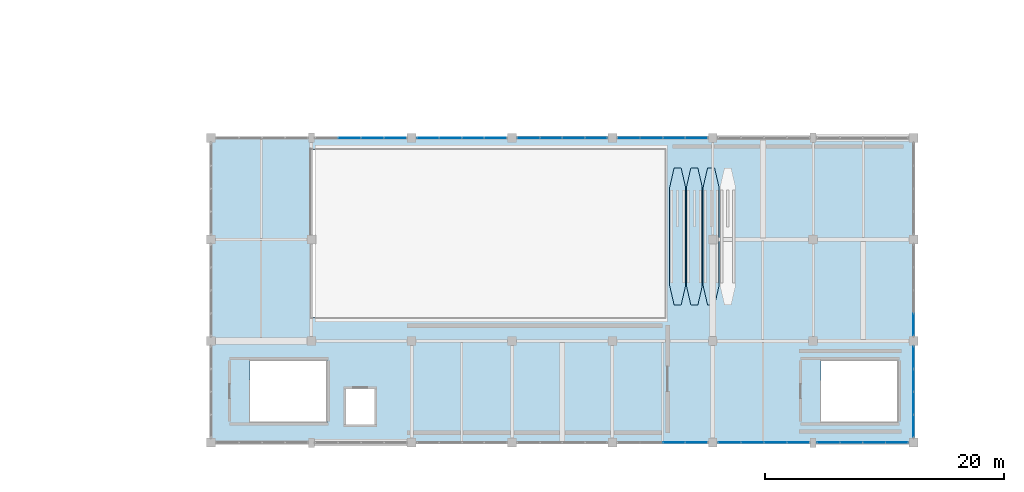
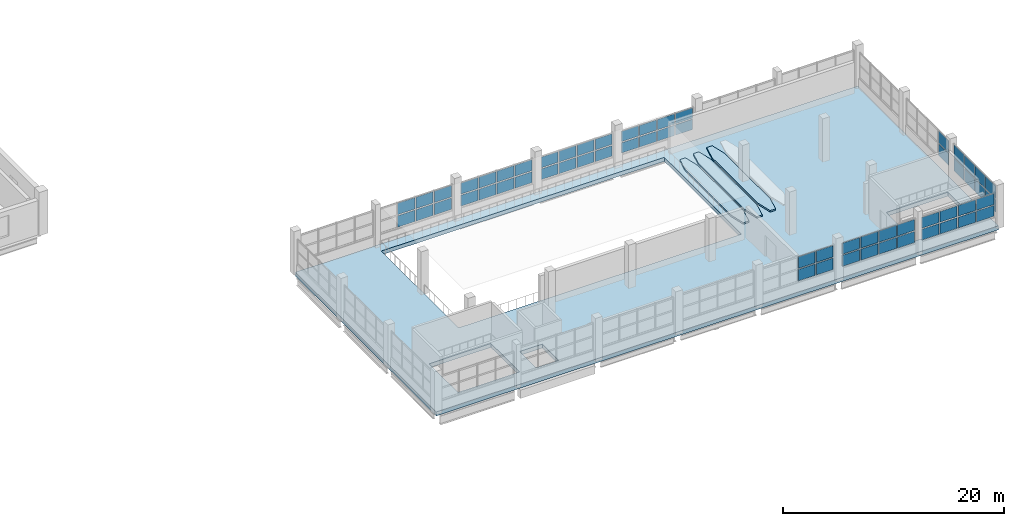
# One storey, part 55 of 77: 60 plates, 4 slabs, 9 elements without a shape of their own.
"""IFC4 building model written with IfcOpenShell, lengths in metres."""

from ifc_helpers import new_model, si_unit, direction, frame, origin, origin_2d, place, context, subcontext, project, spatial, polyline, rectangle, outline, extrude, material, layer, layer_set, type_object, element, aggregate, save


model = new_model("IFC4")

# Units and contexts
model_context = context("Model", 3, precision=1e-05, world=origin(), true_north=direction((0.0, 1.0)))
body_context = subcontext(model_context, "Body", "Model", "MODEL_VIEW")
ifc_project = project(units=[si_unit("LENGTHUNIT", "METRE"), si_unit("AREAUNIT", "SQUARE_METRE"), si_unit("VOLUMEUNIT", "CUBIC_METRE"), si_unit("PLANEANGLEUNIT", "RADIAN"), si_unit("MASSUNIT", "GRAM", prefix="KILO")], contexts=[model_context])

# Site, building, storey
site_placement = place(None, origin())
site = spatial("IfcSite", under=ifc_project, at=site_placement, CompositionType="ELEMENT")
building_placement = place(site_placement, origin())
building = spatial("IfcBuilding", under=site, at=building_placement, Name="Solvento Point Concert Hall", CompositionType="ELEMENT")
storey_placement = place(building_placement, frame((0.0, 0.0, 10.199951171875)))
storey = spatial("IfcBuildingStorey", under=building, at=storey_placement, Name="L02", CompositionType="ELEMENT", Elevation=10.199951171875)

# Curtain wall, plates
ifc_material_1 = material(Name="Anodized Bronze Aluminium", Category="aluminium")
curtain_wall_type = type_object("IfcCurtainWallType", Name="CurtainWall_ChamberCircle", PredefinedType="USERDEFINED", material=ifc_material_1)
curtain_wall_1_placement = place(storey_placement, origin())
curtain_wall_1 = element("IfcCurtainWall", 1, at=curtain_wall_1_placement, inside=storey, type_object=curtain_wall_type, Name="Unitised curtain wall CW-32 UCW-L02-146", ObjectType="UNITISED CURTAIN WALL", PredefinedType="USERDEFINED")
ifc_material_2 = material(Name="Hurricane Laminated Low-E Glass", Category="glass")
plate_type = type_object("IfcPlateType", Name="CurtainPanel_ChamberCircle", PredefinedType="CURTAIN_PANEL", material=ifc_material_2)
plate_1_placement = place(storey_placement, frame((161.578125, 25.5, 1.239990234375), z_axis=(0.0, 0.0, 1.0), x_axis=(1.0, 0.0, 0.0)))
plate_1 = element("IfcPlate", 2, at=plate_1_placement, type_object=plate_type, Name="Glazed curtain panel GL-05", PredefinedType="CURTAIN_PANEL", context=body_context, shape_type="SweptSolid", body=[
    extrude(rectangle(XDim=1.798828125, YDim=0.048095703125, at=origin_2d()), origin(), (0.0, 0.0, 1.0), 1.26708984375),
])
plate_2_placement = place(storey_placement, frame((161.578125, 25.5, 2.626953125), z_axis=(0.0, 0.0, 1.0), x_axis=(1.0, 0.0, 0.0)))
plate_2 = element("IfcPlate", 3, at=plate_2_placement, type_object=plate_type, Name="Glazed curtain panel GL-05", PredefinedType="CURTAIN_PANEL", context=body_context, shape_type="SweptSolid", body=[
    extrude(rectangle(XDim=1.798828125, YDim=0.048095703125, at=origin_2d()), origin(), (0.0, 0.0, 1.0), 1.26708984375),
])
plate_3_placement = place(storey_placement, frame((163.496826171875, 25.5, 1.239990234375), z_axis=(0.0, 0.0, 1.0), x_axis=(1.0, 0.0, 0.0)))
plate_3 = element("IfcPlate", 4, at=plate_3_placement, type_object=plate_type, Name="Glazed curtain panel GL-05", PredefinedType="CURTAIN_PANEL", context=body_context, shape_type="SweptSolid", body=[
    extrude(rectangle(XDim=1.798828125, YDim=0.048095703125, at=origin_2d()), origin(), (0.0, 0.0, 1.0), 1.26708984375),
])
plate_4_placement = place(storey_placement, frame((163.496826171875, 25.5, 2.626953125), z_axis=(0.0, 0.0, 1.0), x_axis=(1.0, 0.0, 0.0)))
plate_4 = element("IfcPlate", 5, at=plate_4_placement, type_object=plate_type, Name="Glazed curtain panel GL-05", PredefinedType="CURTAIN_PANEL", context=body_context, shape_type="SweptSolid", body=[
    extrude(rectangle(XDim=1.798828125, YDim=0.048095703125, at=origin_2d()), origin(), (0.0, 0.0, 1.0), 1.26708984375),
])
plate_5_placement = place(storey_placement, frame((165.41552734375, 25.5, 1.239990234375), z_axis=(0.0, 0.0, 1.0), x_axis=(1.0, 0.0, 0.0)))
plate_5 = element("IfcPlate", 6, at=plate_5_placement, type_object=plate_type, Name="Glazed curtain panel GL-05", PredefinedType="CURTAIN_PANEL", context=body_context, shape_type="SweptSolid", body=[
    extrude(rectangle(XDim=1.798828125, YDim=0.048095703125, at=origin_2d()), origin(), (0.0, 0.0, 1.0), 1.26708984375),
])
plate_6_placement = place(storey_placement, frame((165.41552734375, 25.5, 2.626953125), z_axis=(0.0, 0.0, 1.0), x_axis=(1.0, 0.0, 0.0)))
plate_6 = element("IfcPlate", 7, at=plate_6_placement, type_object=plate_type, Name="Glazed curtain panel GL-05", PredefinedType="CURTAIN_PANEL", context=body_context, shape_type="SweptSolid", body=[
    extrude(rectangle(XDim=1.798828125, YDim=0.048095703125, at=origin_2d()), origin(), (0.0, 0.0, 1.0), 1.26708984375),
])
aggregate(curtain_wall_1, [plate_1, plate_2, plate_3, plate_4, plate_5, plate_6])

curtain_wall_2_placement = place(storey_placement, origin())
curtain_wall_2 = element("IfcCurtainWall", 8, at=curtain_wall_2_placement, inside=storey, type_object=curtain_wall_type, Name="Unitised curtain wall CW-32 UCW-L02-147", ObjectType="UNITISED CURTAIN WALL", PredefinedType="USERDEFINED")
plate_7_placement = place(storey_placement, frame((168.168701171875, 25.5, 1.240234375), z_axis=(0.0, 0.0, 1.0), x_axis=(1.0, 0.0, 0.0)))
plate_7 = element("IfcPlate", 9, at=plate_7_placement, type_object=plate_type, Name="Glazed curtain panel GL-05", PredefinedType="CURTAIN_PANEL", context=body_context, shape_type="SweptSolid", body=[
    extrude(rectangle(XDim=1.767578125, YDim=0.048095703125, at=origin_2d()), origin(), (0.0, 0.0, 1.0), 1.222412109375),
])
plate_8_placement = place(storey_placement, frame((168.168701171875, 25.5, 2.58251953125), z_axis=(0.0, 0.0, 1.0), x_axis=(1.0, 0.0, 0.0)))
plate_8 = element("IfcPlate", 10, at=plate_8_placement, type_object=plate_type, Name="Glazed curtain panel GL-05", PredefinedType="CURTAIN_PANEL", context=body_context, shape_type="SweptSolid", body=[
    extrude(rectangle(XDim=1.767578125, YDim=0.048095703125, at=origin_2d()), origin(), (0.0, 0.0, 1.0), 1.222412109375),
])
plate_9_placement = place(storey_placement, frame((170.056396484375, 25.5, 1.240234375), z_axis=(0.0, 0.0, 1.0), x_axis=(1.0, 0.0, 0.0)))
plate_9 = element("IfcPlate", 11, at=plate_9_placement, type_object=plate_type, Name="Glazed curtain panel GL-05", PredefinedType="CURTAIN_PANEL", context=body_context, shape_type="SweptSolid", body=[
    extrude(rectangle(XDim=1.767578125, YDim=0.048095703125, at=origin_2d()), origin(), (0.0, 0.0, 1.0), 1.222412109375),
])
plate_10_placement = place(storey_placement, frame((170.056396484375, 25.5, 2.58251953125), z_axis=(0.0, 0.0, 1.0), x_axis=(1.0, 0.0, 0.0)))
plate_10 = element("IfcPlate", 12, at=plate_10_placement, type_object=plate_type, Name="Glazed curtain panel GL-05", PredefinedType="CURTAIN_PANEL", context=body_context, shape_type="SweptSolid", body=[
    extrude(rectangle(XDim=1.767578125, YDim=0.048095703125, at=origin_2d()), origin(), (0.0, 0.0, 1.0), 1.222412109375),
])
plate_11_placement = place(storey_placement, frame((171.943603515625, 25.5, 1.240234375), z_axis=(0.0, 0.0, 1.0), x_axis=(1.0, 0.0, 0.0)))
plate_11 = element("IfcPlate", 13, at=plate_11_placement, type_object=plate_type, Name="Glazed curtain panel GL-05", PredefinedType="CURTAIN_PANEL", context=body_context, shape_type="SweptSolid", body=[
    extrude(rectangle(XDim=1.767578125, YDim=0.048095703125, at=origin_2d()), origin(), (0.0, 0.0, 1.0), 1.222412109375),
])
plate_12_placement = place(storey_placement, frame((171.943603515625, 25.5, 2.58251953125), z_axis=(0.0, 0.0, 1.0), x_axis=(1.0, 0.0, 0.0)))
plate_12 = element("IfcPlate", 14, at=plate_12_placement, type_object=plate_type, Name="Glazed curtain panel GL-05", PredefinedType="CURTAIN_PANEL", context=body_context, shape_type="SweptSolid", body=[
    extrude(rectangle(XDim=1.767578125, YDim=0.048095703125, at=origin_2d()), origin(), (0.0, 0.0, 1.0), 1.222412109375),
])
plate_13_placement = place(storey_placement, frame((173.831298828125, 25.5, 1.240234375), z_axis=(0.0, 0.0, 1.0), x_axis=(1.0, 0.0, 0.0)))
plate_13 = element("IfcPlate", 15, at=plate_13_placement, type_object=plate_type, Name="Glazed curtain panel GL-05", PredefinedType="CURTAIN_PANEL", context=body_context, shape_type="SweptSolid", body=[
    extrude(rectangle(XDim=1.767578125, YDim=0.048095703125, at=origin_2d()), origin(), (0.0, 0.0, 1.0), 1.222412109375),
])
plate_14_placement = place(storey_placement, frame((173.831298828125, 25.5, 2.58251953125), z_axis=(0.0, 0.0, 1.0), x_axis=(1.0, 0.0, 0.0)))
plate_14 = element("IfcPlate", 16, at=plate_14_placement, type_object=plate_type, Name="Glazed curtain panel GL-05", PredefinedType="CURTAIN_PANEL", context=body_context, shape_type="SweptSolid", body=[
    extrude(rectangle(XDim=1.767578125, YDim=0.048095703125, at=origin_2d()), origin(), (0.0, 0.0, 1.0), 1.222412109375),
])
aggregate(curtain_wall_2, [plate_7, plate_8, plate_9, plate_10, plate_11, plate_12, plate_13, plate_14])

curtain_wall_3_placement = place(storey_placement, origin())
curtain_wall_3 = element("IfcCurtainWall", 17, at=curtain_wall_3_placement, inside=storey, type_object=curtain_wall_type, Name="Unitised curtain wall CW-32 UCW-L02-148", ObjectType="UNITISED CURTAIN WALL", PredefinedType="USERDEFINED")
plate_15_placement = place(storey_placement, frame((176.568603515625, 25.5, 1.239990234375), z_axis=(0.0, 0.0, 1.0), x_axis=(1.0, 0.0, 0.0)))
plate_15 = element("IfcPlate", 18, at=plate_15_placement, type_object=plate_type, Name="Glazed curtain panel GL-05", PredefinedType="CURTAIN_PANEL", context=body_context, shape_type="SweptSolid", body=[
    extrude(rectangle(XDim=1.767578125, YDim=0.048095703125, at=origin_2d()), origin(), (0.0, 0.0, 1.0), 1.1884765625),
])
plate_16_placement = place(storey_placement, frame((176.568603515625, 25.5, 2.548583984375), z_axis=(0.0, 0.0, 1.0), x_axis=(1.0, 0.0, 0.0)))
plate_16 = element("IfcPlate", 19, at=plate_16_placement, type_object=plate_type, Name="Glazed curtain panel GL-05", PredefinedType="CURTAIN_PANEL", context=body_context, shape_type="SweptSolid", body=[
    extrude(rectangle(XDim=1.767578125, YDim=0.048095703125, at=origin_2d()), origin(), (0.0, 0.0, 1.0), 1.1884765625),
])
plate_17_placement = place(storey_placement, frame((178.456298828125, 25.5, 1.239990234375), z_axis=(0.0, 0.0, 1.0), x_axis=(1.0, 0.0, 0.0)))
plate_17 = element("IfcPlate", 20, at=plate_17_placement, type_object=plate_type, Name="Glazed curtain panel GL-05", PredefinedType="CURTAIN_PANEL", context=body_context, shape_type="SweptSolid", body=[
    extrude(rectangle(XDim=1.767578125, YDim=0.048095703125, at=origin_2d()), origin(), (0.0, 0.0, 1.0), 1.1884765625),
])
plate_18_placement = place(storey_placement, frame((178.456298828125, 25.5, 2.548583984375), z_axis=(0.0, 0.0, 1.0), x_axis=(1.0, 0.0, 0.0)))
plate_18 = element("IfcPlate", 21, at=plate_18_placement, type_object=plate_type, Name="Glazed curtain panel GL-05", PredefinedType="CURTAIN_PANEL", context=body_context, shape_type="SweptSolid", body=[
    extrude(rectangle(XDim=1.767578125, YDim=0.048095703125, at=origin_2d()), origin(), (0.0, 0.0, 1.0), 1.1884765625),
])
plate_19_placement = place(storey_placement, frame((180.34375, 25.5, 1.239990234375), z_axis=(0.0, 0.0, 1.0), x_axis=(1.0, 0.0, 0.0)))
plate_19 = element("IfcPlate", 22, at=plate_19_placement, type_object=plate_type, Name="Glazed curtain panel GL-05", PredefinedType="CURTAIN_PANEL", context=body_context, shape_type="SweptSolid", body=[
    extrude(rectangle(XDim=1.767578125, YDim=0.048095703125, at=origin_2d()), origin(), (0.0, 0.0, 1.0), 1.1884765625),
])
plate_20_placement = place(storey_placement, frame((180.34375, 25.5, 2.548583984375), z_axis=(0.0, 0.0, 1.0), x_axis=(1.0, 0.0, 0.0)))
plate_20 = element("IfcPlate", 23, at=plate_20_placement, type_object=plate_type, Name="Glazed curtain panel GL-05", PredefinedType="CURTAIN_PANEL", context=body_context, shape_type="SweptSolid", body=[
    extrude(rectangle(XDim=1.767578125, YDim=0.048095703125, at=origin_2d()), origin(), (0.0, 0.0, 1.0), 1.1884765625),
])
plate_21_placement = place(storey_placement, frame((182.231201171875, 25.5, 1.239990234375), z_axis=(0.0, 0.0, 1.0), x_axis=(1.0, 0.0, 0.0)))
plate_21 = element("IfcPlate", 24, at=plate_21_placement, type_object=plate_type, Name="Glazed curtain panel GL-05", PredefinedType="CURTAIN_PANEL", context=body_context, shape_type="SweptSolid", body=[
    extrude(rectangle(XDim=1.767578125, YDim=0.048095703125, at=origin_2d()), origin(), (0.0, 0.0, 1.0), 1.1884765625),
])
plate_22_placement = place(storey_placement, frame((182.231201171875, 25.5, 2.548583984375), z_axis=(0.0, 0.0, 1.0), x_axis=(1.0, 0.0, 0.0)))
plate_22 = element("IfcPlate", 25, at=plate_22_placement, type_object=plate_type, Name="Glazed curtain panel GL-05", PredefinedType="CURTAIN_PANEL", context=body_context, shape_type="SweptSolid", body=[
    extrude(rectangle(XDim=1.767578125, YDim=0.048095703125, at=origin_2d()), origin(), (0.0, 0.0, 1.0), 1.1884765625),
])
aggregate(curtain_wall_3, [plate_15, plate_16, plate_17, plate_18, plate_19, plate_20, plate_21, plate_22])

curtain_wall_4_placement = place(storey_placement, origin())
curtain_wall_4 = element("IfcCurtainWall", 26, at=curtain_wall_4_placement, inside=storey, type_object=curtain_wall_type, Name="Unitised curtain wall CW-32 UCW-L02-149", ObjectType="UNITISED CURTAIN WALL", PredefinedType="USERDEFINED")
plate_23_placement = place(storey_placement, frame((184.96875, 25.5, 1.240234375), z_axis=(0.0, 0.0, 1.0), x_axis=(1.0, 0.0, 0.0)))
plate_23 = element("IfcPlate", 27, at=plate_23_placement, type_object=plate_type, Name="Glazed curtain panel GL-05", PredefinedType="CURTAIN_PANEL", context=body_context, shape_type="SweptSolid", body=[
    extrude(rectangle(XDim=1.767578125, YDim=0.048095703125, at=origin_2d()), origin(), (0.0, 0.0, 1.0), 1.138916015625),
])
plate_24_placement = place(storey_placement, frame((184.96875, 25.5, 2.4990234375), z_axis=(0.0, 0.0, 1.0), x_axis=(1.0, 0.0, 0.0)))
plate_24 = element("IfcPlate", 28, at=plate_24_placement, type_object=plate_type, Name="Glazed curtain panel GL-05", PredefinedType="CURTAIN_PANEL", context=body_context, shape_type="SweptSolid", body=[
    extrude(rectangle(XDim=1.767578125, YDim=0.048095703125, at=origin_2d()), origin(), (0.0, 0.0, 1.0), 1.138916015625),
])
plate_25_placement = place(storey_placement, frame((186.856201171875, 25.5, 1.240234375), z_axis=(0.0, 0.0, 1.0), x_axis=(1.0, 0.0, 0.0)))
plate_25 = element("IfcPlate", 29, at=plate_25_placement, type_object=plate_type, Name="Glazed curtain panel GL-05", PredefinedType="CURTAIN_PANEL", context=body_context, shape_type="SweptSolid", body=[
    extrude(rectangle(XDim=1.767578125, YDim=0.048095703125, at=origin_2d()), origin(), (0.0, 0.0, 1.0), 1.138916015625),
])
plate_26_placement = place(storey_placement, frame((186.856201171875, 25.5, 2.4990234375), z_axis=(0.0, 0.0, 1.0), x_axis=(1.0, 0.0, 0.0)))
plate_26 = element("IfcPlate", 30, at=plate_26_placement, type_object=plate_type, Name="Glazed curtain panel GL-05", PredefinedType="CURTAIN_PANEL", context=body_context, shape_type="SweptSolid", body=[
    extrude(rectangle(XDim=1.767578125, YDim=0.048095703125, at=origin_2d()), origin(), (0.0, 0.0, 1.0), 1.138916015625),
])
plate_27_placement = place(storey_placement, frame((188.743896484375, 25.5, 1.240234375), z_axis=(0.0, 0.0, 1.0), x_axis=(1.0, 0.0, 0.0)))
plate_27 = element("IfcPlate", 31, at=plate_27_placement, type_object=plate_type, Name="Glazed curtain panel GL-05", PredefinedType="CURTAIN_PANEL", context=body_context, shape_type="SweptSolid", body=[
    extrude(rectangle(XDim=1.767578125, YDim=0.048095703125, at=origin_2d()), origin(), (0.0, 0.0, 1.0), 1.138916015625),
])
plate_28_placement = place(storey_placement, frame((188.743896484375, 25.5, 2.4990234375), z_axis=(0.0, 0.0, 1.0), x_axis=(1.0, 0.0, 0.0)))
plate_28 = element("IfcPlate", 32, at=plate_28_placement, type_object=plate_type, Name="Glazed curtain panel GL-05", PredefinedType="CURTAIN_PANEL", context=body_context, shape_type="SweptSolid", body=[
    extrude(rectangle(XDim=1.767578125, YDim=0.048095703125, at=origin_2d()), origin(), (0.0, 0.0, 1.0), 1.138916015625),
])
plate_29_placement = place(storey_placement, frame((190.631103515625, 25.5, 1.240234375), z_axis=(0.0, 0.0, 1.0), x_axis=(1.0, 0.0, 0.0)))
plate_29 = element("IfcPlate", 33, at=plate_29_placement, type_object=plate_type, Name="Glazed curtain panel GL-05", PredefinedType="CURTAIN_PANEL", context=body_context, shape_type="SweptSolid", body=[
    extrude(rectangle(XDim=1.767578125, YDim=0.048095703125, at=origin_2d()), origin(), (0.0, 0.0, 1.0), 1.138916015625),
])
plate_30_placement = place(storey_placement, frame((190.631103515625, 25.5, 2.4990234375), z_axis=(0.0, 0.0, 1.0), x_axis=(1.0, 0.0, 0.0)))
plate_30 = element("IfcPlate", 34, at=plate_30_placement, type_object=plate_type, Name="Glazed curtain panel GL-05", PredefinedType="CURTAIN_PANEL", context=body_context, shape_type="SweptSolid", body=[
    extrude(rectangle(XDim=1.767578125, YDim=0.048095703125, at=origin_2d()), origin(), (0.0, 0.0, 1.0), 1.138916015625),
])
aggregate(curtain_wall_4, [plate_23, plate_24, plate_25, plate_26, plate_27, plate_28, plate_29, plate_30])

curtain_wall_5_placement = place(storey_placement, origin())
curtain_wall_5 = element("IfcCurtainWall", 35, at=curtain_wall_5_placement, inside=storey, type_object=curtain_wall_type, Name="Unitised curtain wall CW-32 UCW-L02-152", ObjectType="UNITISED CURTAIN WALL", PredefinedType="USERDEFINED")
plate_31_placement = place(storey_placement, frame((208.800048828125, 1.38134765625, 1.240234375), z_axis=(0.0, 0.0, 1.0), x_axis=(0.0, 1.0, 0.0)))
plate_31 = element("IfcPlate", 36, at=plate_31_placement, type_object=plate_type, Name="Glazed curtain panel GL-05", PredefinedType="CURTAIN_PANEL", context=body_context, shape_type="SweptSolid", body=[
    extrude(rectangle(XDim=1.79248046875, YDim=0.048095703125, at=origin_2d()), origin(), (0.0, 0.0, 1.0), 1.37744140625),
])
plate_32_placement = place(storey_placement, frame((208.800048828125, 1.38134765625, 2.737548828125), z_axis=(0.0, 0.0, 1.0), x_axis=(0.0, 1.0, 0.0)))
plate_32 = element("IfcPlate", 37, at=plate_32_placement, type_object=plate_type, Name="Glazed curtain panel GL-05", PredefinedType="CURTAIN_PANEL", context=body_context, shape_type="SweptSolid", body=[
    extrude(rectangle(XDim=1.79248046875, YDim=0.048095703125, at=origin_2d()), origin(), (0.0, 0.0, 1.0), 1.37744140625),
])
plate_33_placement = place(storey_placement, frame((208.800048828125, 3.293701171875, 1.240234375), z_axis=(0.0, 0.0, 1.0), x_axis=(0.0, 1.0, 0.0)))
plate_33 = element("IfcPlate", 38, at=plate_33_placement, type_object=plate_type, Name="Glazed curtain panel GL-05", PredefinedType="CURTAIN_PANEL", context=body_context, shape_type="SweptSolid", body=[
    extrude(rectangle(XDim=1.79248046875, YDim=0.048095703125, at=origin_2d()), origin(), (0.0, 0.0, 1.0), 1.37744140625),
])
plate_34_placement = place(storey_placement, frame((208.800048828125, 3.293701171875, 2.737548828125), z_axis=(0.0, 0.0, 1.0), x_axis=(0.0, 1.0, 0.0)))
plate_34 = element("IfcPlate", 39, at=plate_34_placement, type_object=plate_type, Name="Glazed curtain panel GL-05", PredefinedType="CURTAIN_PANEL", context=body_context, shape_type="SweptSolid", body=[
    extrude(rectangle(XDim=1.79248046875, YDim=0.048095703125, at=origin_2d()), origin(), (0.0, 0.0, 1.0), 1.37744140625),
])
plate_35_placement = place(storey_placement, frame((208.800048828125, 5.206298828125, 1.240234375), z_axis=(0.0, 0.0, 1.0), x_axis=(0.0, 1.0, 0.0)))
plate_35 = element("IfcPlate", 40, at=plate_35_placement, type_object=plate_type, Name="Glazed curtain panel GL-05", PredefinedType="CURTAIN_PANEL", context=body_context, shape_type="SweptSolid", body=[
    extrude(rectangle(XDim=1.79248046875, YDim=0.048095703125, at=origin_2d()), origin(), (0.0, 0.0, 1.0), 1.37744140625),
])
plate_36_placement = place(storey_placement, frame((208.800048828125, 5.206298828125, 2.737548828125), z_axis=(0.0, 0.0, 1.0), x_axis=(0.0, 1.0, 0.0)))
plate_36 = element("IfcPlate", 41, at=plate_36_placement, type_object=plate_type, Name="Glazed curtain panel GL-05", PredefinedType="CURTAIN_PANEL", context=body_context, shape_type="SweptSolid", body=[
    extrude(rectangle(XDim=1.79248046875, YDim=0.048095703125, at=origin_2d()), origin(), (0.0, 0.0, 1.0), 1.37744140625),
])
plate_37_placement = place(storey_placement, frame((208.800048828125, 7.118896484375, 1.240234375), z_axis=(0.0, 0.0, 1.0), x_axis=(0.0, 1.0, 0.0)))
plate_37 = element("IfcPlate", 42, at=plate_37_placement, type_object=plate_type, Name="Glazed curtain panel GL-05", PredefinedType="CURTAIN_PANEL", context=body_context, shape_type="SweptSolid", body=[
    extrude(rectangle(XDim=1.79248046875, YDim=0.048095703125, at=origin_2d()), origin(), (0.0, 0.0, 1.0), 1.37744140625),
])
plate_38_placement = place(storey_placement, frame((208.800048828125, 7.118896484375, 2.737548828125), z_axis=(0.0, 0.0, 1.0), x_axis=(0.0, 1.0, 0.0)))
plate_38 = element("IfcPlate", 43, at=plate_38_placement, type_object=plate_type, Name="Glazed curtain panel GL-05", PredefinedType="CURTAIN_PANEL", context=body_context, shape_type="SweptSolid", body=[
    extrude(rectangle(XDim=1.79248046875, YDim=0.048095703125, at=origin_2d()), origin(), (0.0, 0.0, 1.0), 1.37744140625),
])
aggregate(curtain_wall_5, [plate_31, plate_32, plate_33, plate_34, plate_35, plate_36, plate_37, plate_38])

curtain_wall_6_placement = place(storey_placement, origin())
curtain_wall_6 = element("IfcCurtainWall", 44, at=curtain_wall_6_placement, inside=storey, type_object=curtain_wall_type, Name="Unitised curtain wall CW-32 UCW-L02-153", ObjectType="UNITISED CURTAIN WALL", PredefinedType="USERDEFINED")
plate_39_placement = place(storey_placement, frame((208.800048828125, 9.881103515625, 1.240234375), z_axis=(0.0, 0.0, 1.0), x_axis=(0.0, 1.0, 0.0)))
plate_39 = element("IfcPlate", 45, at=plate_39_placement, type_object=plate_type, Name="Glazed curtain panel GL-05", PredefinedType="CURTAIN_PANEL", context=body_context, shape_type="SweptSolid", body=[
    extrude(rectangle(XDim=1.79248046875, YDim=0.048095703125, at=origin_2d()), origin(), (0.0, 0.0, 1.0), 1.305419921875),
])
plate_40_placement = place(storey_placement, frame((208.800048828125, 9.881103515625, 2.66552734375), z_axis=(0.0, 0.0, 1.0), x_axis=(0.0, 1.0, 0.0)))
plate_40 = element("IfcPlate", 46, at=plate_40_placement, type_object=plate_type, Name="Glazed curtain panel GL-05", PredefinedType="CURTAIN_PANEL", context=body_context, shape_type="SweptSolid", body=[
    extrude(rectangle(XDim=1.79248046875, YDim=0.048095703125, at=origin_2d()), origin(), (0.0, 0.0, 1.0), 1.305419921875),
])
aggregate(curtain_wall_6, [plate_39, plate_40])

curtain_wall_7_placement = place(storey_placement, origin())
curtain_wall_7 = element("IfcCurtainWall", 47, at=curtain_wall_7_placement, inside=storey, type_object=curtain_wall_type, Name="Unitised curtain wall CW-32 UCW-L02-159", ObjectType="UNITISED CURTAIN WALL", PredefinedType="USERDEFINED")
plate_41_placement = place(storey_placement, frame((188.743896484375, 0.0, 1.239990234375), z_axis=(0.0, 0.0, 1.0), x_axis=(1.0, 0.0, 0.0)))
plate_41 = element("IfcPlate", 48, at=plate_41_placement, type_object=plate_type, Name="Glazed curtain panel GL-05", PredefinedType="CURTAIN_PANEL", context=body_context, shape_type="SweptSolid", body=[
    extrude(rectangle(XDim=1.767578125, YDim=0.048095703125, at=origin_2d()), origin(), (0.0, 0.0, 1.0), 1.26708984375),
])
plate_42_placement = place(storey_placement, frame((188.743896484375, 0.0, 2.626953125), z_axis=(0.0, 0.0, 1.0), x_axis=(1.0, 0.0, 0.0)))
plate_42 = element("IfcPlate", 49, at=plate_42_placement, type_object=plate_type, Name="Glazed curtain panel GL-05", PredefinedType="CURTAIN_PANEL", context=body_context, shape_type="SweptSolid", body=[
    extrude(rectangle(XDim=1.767578125, YDim=0.048095703125, at=origin_2d()), origin(), (0.0, 0.0, 1.0), 1.26708984375),
])
plate_43_placement = place(storey_placement, frame((190.631103515625, 0.0, 1.239990234375), z_axis=(0.0, 0.0, 1.0), x_axis=(1.0, 0.0, 0.0)))
plate_43 = element("IfcPlate", 50, at=plate_43_placement, type_object=plate_type, Name="Glazed curtain panel GL-05", PredefinedType="CURTAIN_PANEL", context=body_context, shape_type="SweptSolid", body=[
    extrude(rectangle(XDim=1.767578125, YDim=0.048095703125, at=origin_2d()), origin(), (0.0, 0.0, 1.0), 1.26708984375),
])
plate_44_placement = place(storey_placement, frame((190.631103515625, 0.0, 2.626953125), z_axis=(0.0, 0.0, 1.0), x_axis=(1.0, 0.0, 0.0)))
plate_44 = element("IfcPlate", 51, at=plate_44_placement, type_object=plate_type, Name="Glazed curtain panel GL-05", PredefinedType="CURTAIN_PANEL", context=body_context, shape_type="SweptSolid", body=[
    extrude(rectangle(XDim=1.767578125, YDim=0.048095703125, at=origin_2d()), origin(), (0.0, 0.0, 1.0), 1.26708984375),
])
aggregate(curtain_wall_7, [plate_41, plate_42, plate_43, plate_44])

curtain_wall_8_placement = place(storey_placement, origin())
curtain_wall_8 = element("IfcCurtainWall", 52, at=curtain_wall_8_placement, inside=storey, type_object=curtain_wall_type, Name="Unitised curtain wall CW-32 UCW-L02-160", ObjectType="UNITISED CURTAIN WALL", PredefinedType="USERDEFINED")
plate_45_placement = place(storey_placement, frame((193.384521484375, 0.0, 1.240234375), z_axis=(0.0, 0.0, 1.0), x_axis=(1.0, 0.0, 0.0)))
plate_45 = element("IfcPlate", 53, at=plate_45_placement, type_object=plate_type, Name="Glazed curtain panel GL-05", PredefinedType="CURTAIN_PANEL", context=body_context, shape_type="SweptSolid", body=[
    extrude(rectangle(XDim=1.798583984375, YDim=0.048095703125, at=origin_2d()), origin(), (0.0, 0.0, 1.0), 1.222412109375),
])
plate_46_placement = place(storey_placement, frame((193.384521484375, 0.0, 2.58251953125), z_axis=(0.0, 0.0, 1.0), x_axis=(1.0, 0.0, 0.0)))
plate_46 = element("IfcPlate", 54, at=plate_46_placement, type_object=plate_type, Name="Glazed curtain panel GL-05", PredefinedType="CURTAIN_PANEL", context=body_context, shape_type="SweptSolid", body=[
    extrude(rectangle(XDim=1.798583984375, YDim=0.048095703125, at=origin_2d()), origin(), (0.0, 0.0, 1.0), 1.222412109375),
])
plate_47_placement = place(storey_placement, frame((195.302978515625, 0.0, 1.240234375), z_axis=(0.0, 0.0, 1.0), x_axis=(1.0, 0.0, 0.0)))
plate_47 = element("IfcPlate", 55, at=plate_47_placement, type_object=plate_type, Name="Glazed curtain panel GL-05", PredefinedType="CURTAIN_PANEL", context=body_context, shape_type="SweptSolid", body=[
    extrude(rectangle(XDim=1.798583984375, YDim=0.048095703125, at=origin_2d()), origin(), (0.0, 0.0, 1.0), 1.222412109375),
])
plate_48_placement = place(storey_placement, frame((195.302978515625, 0.0, 2.58251953125), z_axis=(0.0, 0.0, 1.0), x_axis=(1.0, 0.0, 0.0)))
plate_48 = element("IfcPlate", 56, at=plate_48_placement, type_object=plate_type, Name="Glazed curtain panel GL-05", PredefinedType="CURTAIN_PANEL", context=body_context, shape_type="SweptSolid", body=[
    extrude(rectangle(XDim=1.798583984375, YDim=0.048095703125, at=origin_2d()), origin(), (0.0, 0.0, 1.0), 1.222412109375),
])
plate_49_placement = place(storey_placement, frame((197.221923828125, 0.0, 1.240234375), z_axis=(0.0, 0.0, 1.0), x_axis=(1.0, 0.0, 0.0)))
plate_49 = element("IfcPlate", 57, at=plate_49_placement, type_object=plate_type, Name="Glazed curtain panel GL-05", PredefinedType="CURTAIN_PANEL", context=body_context, shape_type="SweptSolid", body=[
    extrude(rectangle(XDim=1.798583984375, YDim=0.048095703125, at=origin_2d()), origin(), (0.0, 0.0, 1.0), 1.222412109375),
])
plate_50_placement = place(storey_placement, frame((197.221923828125, 0.0, 2.58251953125), z_axis=(0.0, 0.0, 1.0), x_axis=(1.0, 0.0, 0.0)))
plate_50 = element("IfcPlate", 58, at=plate_50_placement, type_object=plate_type, Name="Glazed curtain panel GL-05", PredefinedType="CURTAIN_PANEL", context=body_context, shape_type="SweptSolid", body=[
    extrude(rectangle(XDim=1.798583984375, YDim=0.048095703125, at=origin_2d()), origin(), (0.0, 0.0, 1.0), 1.222412109375),
])
plate_51_placement = place(storey_placement, frame((199.140625, 0.0, 1.240234375), z_axis=(0.0, 0.0, 1.0), x_axis=(1.0, 0.0, 0.0)))
plate_51 = element("IfcPlate", 59, at=plate_51_placement, type_object=plate_type, Name="Glazed curtain panel GL-05", PredefinedType="CURTAIN_PANEL", context=body_context, shape_type="SweptSolid", body=[
    extrude(rectangle(XDim=1.798583984375, YDim=0.048095703125, at=origin_2d()), origin(), (0.0, 0.0, 1.0), 1.222412109375),
])
plate_52_placement = place(storey_placement, frame((199.140625, 0.0, 2.58251953125), z_axis=(0.0, 0.0, 1.0), x_axis=(1.0, 0.0, 0.0)))
plate_52 = element("IfcPlate", 60, at=plate_52_placement, type_object=plate_type, Name="Glazed curtain panel GL-05", PredefinedType="CURTAIN_PANEL", context=body_context, shape_type="SweptSolid", body=[
    extrude(rectangle(XDim=1.798583984375, YDim=0.048095703125, at=origin_2d()), origin(), (0.0, 0.0, 1.0), 1.222412109375),
])
aggregate(curtain_wall_8, [plate_45, plate_46, plate_47, plate_48, plate_49, plate_50, plate_51, plate_52])

curtain_wall_9_placement = place(storey_placement, origin())
curtain_wall_9 = element("IfcCurtainWall", 61, at=curtain_wall_9_placement, inside=storey, type_object=curtain_wall_type, Name="Unitised curtain wall CW-32 UCW-L02-161", ObjectType="UNITISED CURTAIN WALL", PredefinedType="USERDEFINED")
plate_53_placement = place(storey_placement, frame((201.659423828125, 0.0, 1.239990234375), z_axis=(0.0, 0.0, 1.0), x_axis=(1.0, 0.0, 0.0)))
plate_53 = element("IfcPlate", 62, at=plate_53_placement, type_object=plate_type, Name="Glazed curtain panel GL-05", PredefinedType="CURTAIN_PANEL", context=body_context, shape_type="SweptSolid", body=[
    extrude(rectangle(XDim=1.798828125, YDim=0.048095703125, at=origin_2d()), origin(), (0.0, 0.0, 1.0), 1.1884765625),
])
plate_54_placement = place(storey_placement, frame((201.659423828125, 0.0, 2.548583984375), z_axis=(0.0, 0.0, 1.0), x_axis=(1.0, 0.0, 0.0)))
plate_54 = element("IfcPlate", 63, at=plate_54_placement, type_object=plate_type, Name="Glazed curtain panel GL-05", PredefinedType="CURTAIN_PANEL", context=body_context, shape_type="SweptSolid", body=[
    extrude(rectangle(XDim=1.798828125, YDim=0.048095703125, at=origin_2d()), origin(), (0.0, 0.0, 1.0), 1.1884765625),
])
plate_55_placement = place(storey_placement, frame((203.578125, 0.0, 1.239990234375), z_axis=(0.0, 0.0, 1.0), x_axis=(1.0, 0.0, 0.0)))
plate_55 = element("IfcPlate", 64, at=plate_55_placement, type_object=plate_type, Name="Glazed curtain panel GL-05", PredefinedType="CURTAIN_PANEL", context=body_context, shape_type="SweptSolid", body=[
    extrude(rectangle(XDim=1.798828125, YDim=0.048095703125, at=origin_2d()), origin(), (0.0, 0.0, 1.0), 1.1884765625),
])
plate_56_placement = place(storey_placement, frame((203.578125, 0.0, 2.548583984375), z_axis=(0.0, 0.0, 1.0), x_axis=(1.0, 0.0, 0.0)))
plate_56 = element("IfcPlate", 65, at=plate_56_placement, type_object=plate_type, Name="Glazed curtain panel GL-05", PredefinedType="CURTAIN_PANEL", context=body_context, shape_type="SweptSolid", body=[
    extrude(rectangle(XDim=1.798828125, YDim=0.048095703125, at=origin_2d()), origin(), (0.0, 0.0, 1.0), 1.1884765625),
])
plate_57_placement = place(storey_placement, frame((205.496826171875, 0.0, 1.239990234375), z_axis=(0.0, 0.0, 1.0), x_axis=(1.0, 0.0, 0.0)))
plate_57 = element("IfcPlate", 66, at=plate_57_placement, type_object=plate_type, Name="Glazed curtain panel GL-05", PredefinedType="CURTAIN_PANEL", context=body_context, shape_type="SweptSolid", body=[
    extrude(rectangle(XDim=1.798828125, YDim=0.048095703125, at=origin_2d()), origin(), (0.0, 0.0, 1.0), 1.1884765625),
])
plate_58_placement = place(storey_placement, frame((205.496826171875, 0.0, 2.548583984375), z_axis=(0.0, 0.0, 1.0), x_axis=(1.0, 0.0, 0.0)))
plate_58 = element("IfcPlate", 67, at=plate_58_placement, type_object=plate_type, Name="Glazed curtain panel GL-05", PredefinedType="CURTAIN_PANEL", context=body_context, shape_type="SweptSolid", body=[
    extrude(rectangle(XDim=1.798828125, YDim=0.048095703125, at=origin_2d()), origin(), (0.0, 0.0, 1.0), 1.1884765625),
])
plate_59_placement = place(storey_placement, frame((207.41552734375, 0.0, 1.239990234375), z_axis=(0.0, 0.0, 1.0), x_axis=(1.0, 0.0, 0.0)))
plate_59 = element("IfcPlate", 68, at=plate_59_placement, type_object=plate_type, Name="Glazed curtain panel GL-05", PredefinedType="CURTAIN_PANEL", context=body_context, shape_type="SweptSolid", body=[
    extrude(rectangle(XDim=1.798828125, YDim=0.048095703125, at=origin_2d()), origin(), (0.0, 0.0, 1.0), 1.1884765625),
])
plate_60_placement = place(storey_placement, frame((207.41552734375, 0.0, 2.548583984375), z_axis=(0.0, 0.0, 1.0), x_axis=(1.0, 0.0, 0.0)))
plate_60 = element("IfcPlate", 69, at=plate_60_placement, type_object=plate_type, Name="Glazed curtain panel GL-05", PredefinedType="CURTAIN_PANEL", context=body_context, shape_type="SweptSolid", body=[
    extrude(rectangle(XDim=1.798828125, YDim=0.048095703125, at=origin_2d()), origin(), (0.0, 0.0, 1.0), 1.1884765625),
])
aggregate(curtain_wall_9, [plate_53, plate_54, plate_55, plate_56, plate_57, plate_58, plate_59, plate_60])

# Slabs
ifc_material_3 = material(Name="Concrete C40/50", Category="concrete")
ifc_layer_1 = layer(ifc_material_3, 0.43994140625)
ifc_layer_set_1 = layer_set([ifc_layer_1], Name="Concrete C40/50")
slab_type_1 = type_object("IfcSlabType", Name="FloorSlab_415_Balc", PredefinedType="FLOOR", material=ifc_layer_set_1)
slab_1_placement = place(storey_placement, frame((0.0, 0.0, -0.43994140625)))
element("IfcSlab", 70, at=slab_1_placement, inside=storey, type_object=slab_type_1, Name="Structural slab SL-BAL SLAB-L02-V3", PredefinedType="FLOOR", context=body_context, shape_type="SweptSolid", body=[
    extrude(outline(polyline([(208.800048828125, 25.5), (208.800048828125, 0.0), (150.0, 0.0), (150.0, 25.5), (208.800048828125, 25.5)]), holes=[polyline([(207.5, 1.699951171875), (207.5, 6.89990234375), (201.050048828125, 6.89990234375), (201.050048828125, 1.699951171875), (207.5, 1.699951171875)]), polyline([(158.39990234375, 10.5), (188.0, 10.5), (188.0, 24.5), (158.39990234375, 24.5), (158.39990234375, 10.5)]), polyline([(163.679931640625, 4.47998046875), (161.320068359375, 4.47998046875), (161.320068359375, 1.52001953125), (163.679931640625, 1.52001953125), (163.679931640625, 4.47998046875)]), polyline([(159.699951171875, 6.89990234375), (153.25, 6.89990234375), (153.25, 1.699951171875), (159.699951171875, 1.699951171875), (159.699951171875, 6.89990234375)])]), origin(), (0.0, 0.0, 1.0), 0.43994140625),
])
ifc_material_4 = material(Name="Concrete C35/45", Category="concrete")
ifc_layer_2 = layer(ifc_material_4, 0.169921875)
ifc_layer_set_2 = layer_set([ifc_layer_2], Name="Concrete C35/45")
slab_type_2 = type_object("IfcSlabType", Name="SeatingTier_175", PredefinedType="USERDEFINED", material=ifc_layer_set_2)
slab_2_placement = place(storey_placement, frame((0.0, 0.0, 0.2099609375)))
element("IfcSlab", 71, at=slab_2_placement, inside=storey, type_object=slab_type_2, Name="Stand chamber balcony tier row 1", ObjectType="SEATING TIER", PredefinedType="USERDEFINED", context=body_context, shape_type="SweptSolid", body=[
    extrude(outline(polyline([(188.76953125, 11.5), (189.350341796875, 11.5), (189.719970703125, 13.110107421875), (189.719970703125, 21.389892578125), (189.350341796875, 23.0), (188.76953125, 23.0), (188.39990234375, 21.389892578125), (188.39990234375, 13.110107421875), (188.76953125, 11.5)])), origin(), (0.0, 0.0, 1.0), 0.170166015625),
])
slab_3_placement = place(storey_placement, frame((0.0, 0.0, 0.39013671875)))
element("IfcSlab", 72, at=slab_3_placement, inside=storey, type_object=slab_type_2, Name="Stand chamber balcony tier row 2", ObjectType="SEATING TIER", PredefinedType="USERDEFINED", context=body_context, shape_type="SweptSolid", body=[
    extrude(outline(polyline([(190.169677734375, 11.5), (190.75048828125, 11.5), (191.1201171875, 13.110107421875), (191.1201171875, 21.389892578125), (190.75048828125, 23.0), (190.169677734375, 23.0), (189.800048828125, 21.389892578125), (189.800048828125, 13.110107421875), (190.169677734375, 11.5)])), origin(), (0.0, 0.0, 1.0), 0.169921875),
])
slab_4_placement = place(storey_placement, frame((0.0, 0.0, 0.570068359375)))
element("IfcSlab", 73, at=slab_4_placement, inside=storey, type_object=slab_type_2, Name="Stand chamber balcony tier row 3", ObjectType="SEATING TIER", PredefinedType="USERDEFINED", context=body_context, shape_type="SweptSolid", body=[
    extrude(outline(polyline([(191.569580078125, 11.5), (192.150390625, 11.5), (192.52001953125, 13.110107421875), (192.52001953125, 21.389892578125), (192.150390625, 23.0), (191.569580078125, 23.0), (191.199951171875, 21.389892578125), (191.199951171875, 13.110107421875), (191.569580078125, 11.5)])), origin(), (0.0, 0.0, 1.0), 0.169921875),
])

save(model, "model.ifc")
